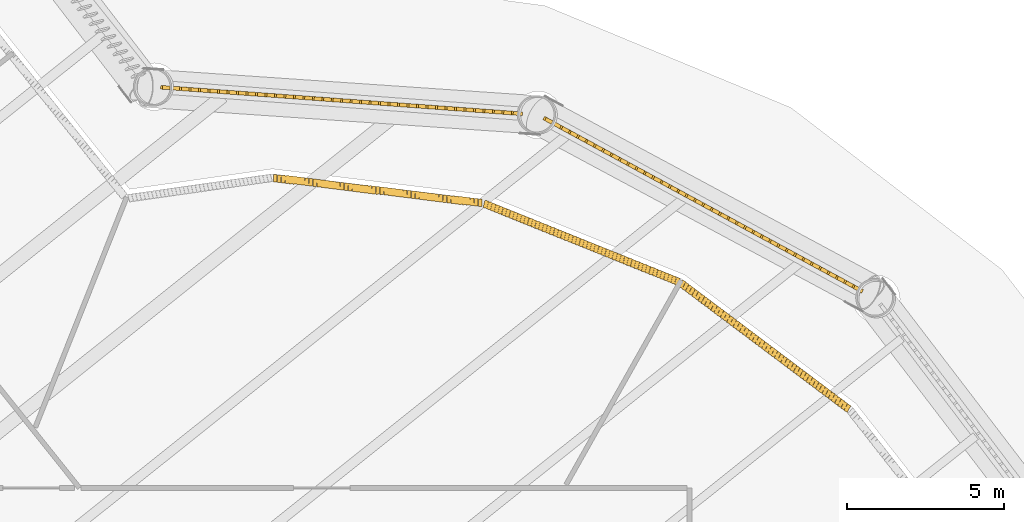
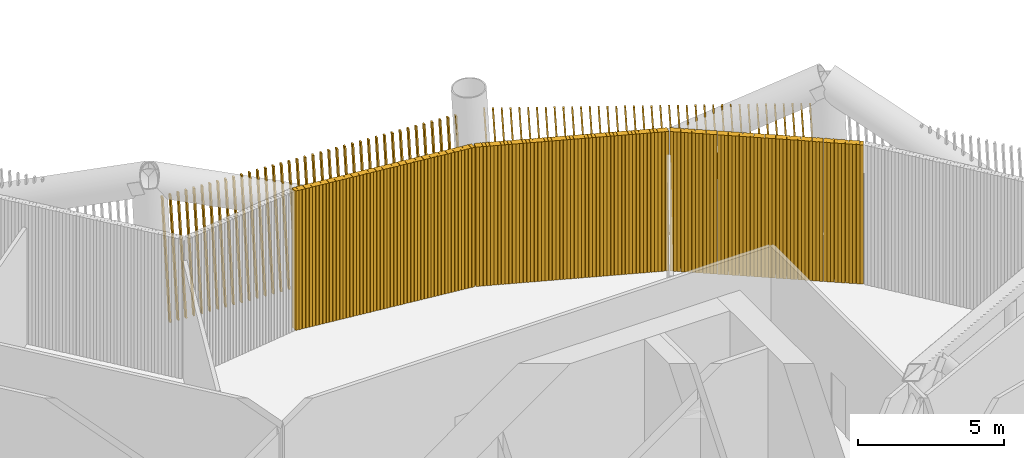
# One storey, part 46 of 48: 5 shading devices.
"""IFC4 building model written with IfcOpenShell, lengths in metres."""

from ifc_helpers import new_model, si_unit, direction, frame, frame_2d, origin, place, context, subcontext, project, spatial, rectangle, composite_profile, extrude, material, type_object, element, save


model = new_model("IFC4")

# Units and contexts
model_context = context("Model", 3, precision=1e-05, world=origin(), true_north=direction((0.0, 1.0)))
body_context = subcontext(model_context, "Body", "Model", "MODEL_VIEW")
ifc_project = project(units=[si_unit("LENGTHUNIT", "METRE"), si_unit("AREAUNIT", "SQUARE_METRE"), si_unit("VOLUMEUNIT", "CUBIC_METRE"), si_unit("PLANEANGLEUNIT", "RADIAN"), si_unit("MASSUNIT", "GRAM", prefix="KILO")], contexts=[model_context])

# Site, building, storey
site_placement = place(None, origin())
site = spatial("IfcSite", under=ifc_project, at=site_placement, CompositionType="ELEMENT")
building_placement = place(site_placement, origin())
building = spatial("IfcBuilding", under=site, at=building_placement, Name="Tarsis Ring Headquarters", CompositionType="ELEMENT")
storey_placement = place(building_placement, frame((0.0, 0.0, 34.0)))
storey = spatial("IfcBuildingStorey", under=building, at=storey_placement, Name="L06", CompositionType="ELEMENT", Elevation=34.0)

# Shading devices
ifc_material_1 = material(Name="Aluminium louvre", Category="aluminium")
shading_device_type_1 = type_object("IfcShadingDeviceType", Name="Plant louvre fin", PredefinedType="USERDEFINED", material=ifc_material_1)
shading_device_1_placement = place(storey_placement, frame((18.08984375, 18.49609375, 0.0), z_axis=(0.0, 0.0, 1.0), x_axis=(-0.799680360321, 0.600414078675, 0.0)))
element("IfcShadingDevice", 1, at=shading_device_1_placement, inside=storey, type_object=shading_device_type_1, Name="Louvre L06-27", ObjectType="Louvre", PredefinedType="USERDEFINED", context=body_context, shape_type="SweptSolid", body=[
    extrude(composite_profile([rectangle(XDim=0.1201171875, YDim=0.239990234375, at=frame_2d((0.076171875, 0.0), x_axis=(0.990268068742, 0.13917310096))), rectangle(XDim=0.1201171875, YDim=0.239990234375, at=frame_2d((0.202392578125, 0.0), x_axis=(0.990268068742, 0.13917310096))), rectangle(XDim=0.1201171875, YDim=0.239990234375, at=frame_2d((0.328857421875, 0.0), x_axis=(0.990268068742, 0.13917310096))), rectangle(XDim=0.1201171875, YDim=0.239990234375, at=frame_2d((0.455078125, 0.0), x_axis=(0.990268068742, 0.13917310096))), rectangle(XDim=0.1201171875, YDim=0.239990234375, at=frame_2d((0.58154296875, 0.0), x_axis=(0.990268068742, 0.13917310096))), rectangle(XDim=0.1201171875, YDim=0.239990234375, at=frame_2d((0.707763671875, 0.0), x_axis=(0.990268068742, 0.13917310096))), rectangle(XDim=0.1201171875, YDim=0.239990234375, at=frame_2d((0.834228515625, 0.0), x_axis=(0.990268068742, 0.13917310096))), rectangle(XDim=0.1201171875, YDim=0.239990234375, at=frame_2d((0.96044921875, 0.0), x_axis=(0.990268068742, 0.13917310096))), rectangle(XDim=0.1201171875, YDim=0.239990234375, at=frame_2d((1.0869140625, 0.0), x_axis=(0.990268068742, 0.13917310096))), rectangle(XDim=0.1201171875, YDim=0.239990234375, at=frame_2d((1.213134765625, 0.0), x_axis=(0.990268068742, 0.13917310096))), rectangle(XDim=0.1201171875, YDim=0.239990234375, at=frame_2d((1.33935546875, 0.0), x_axis=(0.990268068742, 0.13917310096))), rectangle(XDim=0.1201171875, YDim=0.239990234375, at=frame_2d((1.4658203125, 0.0), x_axis=(0.990268068742, 0.13917310096))), rectangle(XDim=0.1201171875, YDim=0.239990234375, at=frame_2d((1.592041015625, 0.0), x_axis=(0.990268068742, 0.13917310096))), rectangle(XDim=0.1201171875, YDim=0.239990234375, at=frame_2d((1.718505859375, 0.0), x_axis=(0.990268068742, 0.13917310096))), rectangle(XDim=0.1201171875, YDim=0.239990234375, at=frame_2d((1.8447265625, 0.0), x_axis=(0.990268068742, 0.13917310096))), rectangle(XDim=0.1201171875, YDim=0.239990234375, at=frame_2d((1.97119140625, 0.0), x_axis=(0.990268068742, 0.13917310096))), rectangle(XDim=0.1201171875, YDim=0.239990234375, at=frame_2d((2.097412109375, 0.0), x_axis=(0.990268068742, 0.13917310096))), rectangle(XDim=0.1201171875, YDim=0.239990234375, at=frame_2d((2.223876953125, 0.0), x_axis=(0.990268068742, 0.13917310096))), rectangle(XDim=0.1201171875, YDim=0.239990234375, at=frame_2d((2.35009765625, 0.0), x_axis=(0.990268068742, 0.13917310096))), rectangle(XDim=0.1201171875, YDim=0.239990234375, at=frame_2d((2.476318359375, 0.0), x_axis=(0.990268068742, 0.13917310096))), rectangle(XDim=0.1201171875, YDim=0.239990234375, at=frame_2d((2.602783203125, 0.0), x_axis=(0.990268068742, 0.13917310096))), rectangle(XDim=0.1201171875, YDim=0.239990234375, at=frame_2d((2.72900390625, 0.0), x_axis=(0.990268068742, 0.13917310096))), rectangle(XDim=0.1201171875, YDim=0.239990234375, at=frame_2d((2.85546875, 0.0), x_axis=(0.990268068742, 0.13917310096))), rectangle(XDim=0.1201171875, YDim=0.239990234375, at=frame_2d((2.981689453125, 0.0), x_axis=(0.990268068742, 0.13917310096))), rectangle(XDim=0.1201171875, YDim=0.239990234375, at=frame_2d((3.108154296875, 0.0), x_axis=(0.990268068742, 0.13917310096))), rectangle(XDim=0.1201171875, YDim=0.239990234375, at=frame_2d((3.234375, 0.0), x_axis=(0.990268068742, 0.13917310096))), rectangle(XDim=0.1201171875, YDim=0.239990234375, at=frame_2d((3.36083984375, 0.0), x_axis=(0.990268068742, 0.13917310096))), rectangle(XDim=0.1201171875, YDim=0.239990234375, at=frame_2d((3.487060546875, 0.0), x_axis=(0.990268068742, 0.13917310096))), rectangle(XDim=0.1201171875, YDim=0.239990234375, at=frame_2d((3.61328125, 0.0), x_axis=(0.990268068742, 0.13917310096))), rectangle(XDim=0.1201171875, YDim=0.239990234375, at=frame_2d((3.73974609375, 0.0), x_axis=(0.990268068742, 0.13917310096))), rectangle(XDim=0.1201171875, YDim=0.239990234375, at=frame_2d((3.865966796875, 0.0), x_axis=(0.990268068742, 0.13917310096))), rectangle(XDim=0.1201171875, YDim=0.239990234375, at=frame_2d((3.992431640625, 0.0), x_axis=(0.990268068742, 0.13917310096))), rectangle(XDim=0.1201171875, YDim=0.239990234375, at=frame_2d((4.11865234375, 0.0), x_axis=(0.990268068742, 0.13917310096))), rectangle(XDim=0.1201171875, YDim=0.239990234375, at=frame_2d((4.2451171875, 0.0), x_axis=(0.990268068742, 0.13917310096))), rectangle(XDim=0.1201171875, YDim=0.239990234375, at=frame_2d((4.371337890625, 0.0), x_axis=(0.990268068742, 0.13917310096))), rectangle(XDim=0.1201171875, YDim=0.239990234375, at=frame_2d((4.49755859375, 0.0), x_axis=(0.990268068742, 0.13917310096))), rectangle(XDim=0.1201171875, YDim=0.239990234375, at=frame_2d((4.6240234375, 0.0), x_axis=(0.990268068742, 0.13917310096))), rectangle(XDim=0.1201171875, YDim=0.239990234375, at=frame_2d((4.750244140625, 0.0), x_axis=(0.990268068742, 0.13917310096))), rectangle(XDim=0.1201171875, YDim=0.239990234375, at=frame_2d((4.876708984375, 0.0), x_axis=(0.990268068742, 0.13917310096))), rectangle(XDim=0.1201171875, YDim=0.239990234375, at=frame_2d((5.0029296875, 0.0), x_axis=(0.990268068742, 0.13917310096))), rectangle(XDim=0.1201171875, YDim=0.239990234375, at=frame_2d((5.12939453125, 0.0), x_axis=(0.990268068742, 0.13917310096))), rectangle(XDim=0.1201171875, YDim=0.239990234375, at=frame_2d((5.255615234375, 0.0), x_axis=(0.990268068742, 0.13917310096))), rectangle(XDim=0.1201171875, YDim=0.239990234375, at=frame_2d((5.382080078125, 0.0), x_axis=(0.990268068742, 0.13917310096))), rectangle(XDim=0.1201171875, YDim=0.239990234375, at=frame_2d((5.50830078125, 0.0), x_axis=(0.990268068742, 0.13917310096))), rectangle(XDim=0.1201171875, YDim=0.239990234375, at=frame_2d((5.634521484375, 0.0), x_axis=(0.990268068742, 0.13917310096))), rectangle(XDim=0.1201171875, YDim=0.239990234375, at=frame_2d((5.760986328125, 0.0), x_axis=(0.990268068742, 0.13917310096))), rectangle(XDim=0.1201171875, YDim=0.239990234375, at=frame_2d((5.88720703125, 0.0), x_axis=(0.990268068742, 0.13917310096))), rectangle(XDim=0.1201171875, YDim=0.239990234375, at=frame_2d((6.013671875, 0.0), x_axis=(0.990268068742, 0.13917310096))), rectangle(XDim=0.1201171875, YDim=0.239990234375, at=frame_2d((6.139892578125, 0.0), x_axis=(0.990268068742, 0.13917310096))), rectangle(XDim=0.1201171875, YDim=0.239990234375, at=frame_2d((6.266357421875, 0.0), x_axis=(0.990268068742, 0.13917310096))), rectangle(XDim=0.1201171875, YDim=0.239990234375, at=frame_2d((6.392578125, 0.0), x_axis=(0.990268068742, 0.13917310096))), rectangle(XDim=0.1201171875, YDim=0.239990234375, at=frame_2d((6.51904296875, 0.0), x_axis=(0.990268068742, 0.13917310096))), rectangle(XDim=0.1201171875, YDim=0.239990234375, at=frame_2d((6.645263671875, 0.0), x_axis=(0.990268068742, 0.13917310096)))]), origin(), (0.0, 0.0, 1.0), 5.840087890625),
])
shading_device_2_placement = place(storey_placement, frame((12.686279296875, 22.5478515625, 0.0), z_axis=(0.0, 0.0, 1.0), x_axis=(-0.92782681341, 0.37299771167, 0.0)))
element("IfcShadingDevice", 2, at=shading_device_2_placement, inside=storey, type_object=shading_device_type_1, Name="Louvre L06-28", ObjectType="Louvre", PredefinedType="USERDEFINED", context=body_context, shape_type="SweptSolid", body=[
    extrude(composite_profile([rectangle(XDim=0.1201171875, YDim=0.239990234375, at=frame_2d((0.076171875, 0.0), x_axis=(0.990268068742, 0.13917310096))), rectangle(XDim=0.1201171875, YDim=0.239990234375, at=frame_2d((0.202392578125, 0.0), x_axis=(0.990268068742, 0.13917310096))), rectangle(XDim=0.1201171875, YDim=0.239990234375, at=frame_2d((0.328857421875, 0.0), x_axis=(0.990268068742, 0.13917310096))), rectangle(XDim=0.1201171875, YDim=0.239990234375, at=frame_2d((0.455078125, 0.0), x_axis=(0.990268068742, 0.13917310096))), rectangle(XDim=0.1201171875, YDim=0.239990234375, at=frame_2d((0.58154296875, 0.0), x_axis=(0.990268068742, 0.13917310096))), rectangle(XDim=0.1201171875, YDim=0.239990234375, at=frame_2d((0.707763671875, 0.0), x_axis=(0.990268068742, 0.13917310096))), rectangle(XDim=0.1201171875, YDim=0.239990234375, at=frame_2d((0.834228515625, 0.0), x_axis=(0.990268068742, 0.13917310096))), rectangle(XDim=0.1201171875, YDim=0.239990234375, at=frame_2d((0.96044921875, 0.0), x_axis=(0.990268068742, 0.13917310096))), rectangle(XDim=0.1201171875, YDim=0.239990234375, at=frame_2d((1.0869140625, 0.0), x_axis=(0.990268068742, 0.13917310096))), rectangle(XDim=0.1201171875, YDim=0.239990234375, at=frame_2d((1.213134765625, 0.0), x_axis=(0.990268068742, 0.13917310096))), rectangle(XDim=0.1201171875, YDim=0.239990234375, at=frame_2d((1.33935546875, 0.0), x_axis=(0.990268068742, 0.13917310096))), rectangle(XDim=0.1201171875, YDim=0.239990234375, at=frame_2d((1.4658203125, 0.0), x_axis=(0.990268068742, 0.13917310096))), rectangle(XDim=0.1201171875, YDim=0.239990234375, at=frame_2d((1.592041015625, 0.0), x_axis=(0.990268068742, 0.13917310096))), rectangle(XDim=0.1201171875, YDim=0.239990234375, at=frame_2d((1.718505859375, 0.0), x_axis=(0.990268068742, 0.13917310096))), rectangle(XDim=0.1201171875, YDim=0.239990234375, at=frame_2d((1.8447265625, 0.0), x_axis=(0.990268068742, 0.13917310096))), rectangle(XDim=0.1201171875, YDim=0.239990234375, at=frame_2d((1.97119140625, 0.0), x_axis=(0.990268068742, 0.13917310096))), rectangle(XDim=0.1201171875, YDim=0.239990234375, at=frame_2d((2.097412109375, 0.0), x_axis=(0.990268068742, 0.13917310096))), rectangle(XDim=0.1201171875, YDim=0.239990234375, at=frame_2d((2.223876953125, 0.0), x_axis=(0.990268068742, 0.13917310096))), rectangle(XDim=0.1201171875, YDim=0.239990234375, at=frame_2d((2.35009765625, 0.0), x_axis=(0.990268068742, 0.13917310096))), rectangle(XDim=0.1201171875, YDim=0.239990234375, at=frame_2d((2.476318359375, 0.0), x_axis=(0.990268068742, 0.13917310096))), rectangle(XDim=0.1201171875, YDim=0.239990234375, at=frame_2d((2.602783203125, 0.0), x_axis=(0.990268068742, 0.13917310096))), rectangle(XDim=0.1201171875, YDim=0.239990234375, at=frame_2d((2.72900390625, 0.0), x_axis=(0.990268068742, 0.13917310096))), rectangle(XDim=0.1201171875, YDim=0.239990234375, at=frame_2d((2.85546875, 0.0), x_axis=(0.990268068742, 0.13917310096))), rectangle(XDim=0.1201171875, YDim=0.239990234375, at=frame_2d((2.981689453125, 0.0), x_axis=(0.990268068742, 0.13917310096))), rectangle(XDim=0.1201171875, YDim=0.239990234375, at=frame_2d((3.108154296875, 0.0), x_axis=(0.990268068742, 0.13917310096))), rectangle(XDim=0.1201171875, YDim=0.239990234375, at=frame_2d((3.234375, 0.0), x_axis=(0.990268068742, 0.13917310096))), rectangle(XDim=0.1201171875, YDim=0.239990234375, at=frame_2d((3.36083984375, 0.0), x_axis=(0.990268068742, 0.13917310096))), rectangle(XDim=0.1201171875, YDim=0.239990234375, at=frame_2d((3.487060546875, 0.0), x_axis=(0.990268068742, 0.13917310096))), rectangle(XDim=0.1201171875, YDim=0.239990234375, at=frame_2d((3.61328125, 0.0), x_axis=(0.990268068742, 0.13917310096))), rectangle(XDim=0.1201171875, YDim=0.239990234375, at=frame_2d((3.73974609375, 0.0), x_axis=(0.990268068742, 0.13917310096))), rectangle(XDim=0.1201171875, YDim=0.239990234375, at=frame_2d((3.865966796875, 0.0), x_axis=(0.990268068742, 0.13917310096))), rectangle(XDim=0.1201171875, YDim=0.239990234375, at=frame_2d((3.992431640625, 0.0), x_axis=(0.990268068742, 0.13917310096))), rectangle(XDim=0.1201171875, YDim=0.239990234375, at=frame_2d((4.11865234375, 0.0), x_axis=(0.990268068742, 0.13917310096))), rectangle(XDim=0.1201171875, YDim=0.239990234375, at=frame_2d((4.2451171875, 0.0), x_axis=(0.990268068742, 0.13917310096))), rectangle(XDim=0.1201171875, YDim=0.239990234375, at=frame_2d((4.371337890625, 0.0), x_axis=(0.990268068742, 0.13917310096))), rectangle(XDim=0.1201171875, YDim=0.239990234375, at=frame_2d((4.49755859375, 0.0), x_axis=(0.990268068742, 0.13917310096))), rectangle(XDim=0.1201171875, YDim=0.239990234375, at=frame_2d((4.6240234375, 0.0), x_axis=(0.990268068742, 0.13917310096))), rectangle(XDim=0.1201171875, YDim=0.239990234375, at=frame_2d((4.750244140625, 0.0), x_axis=(0.990268068742, 0.13917310096))), rectangle(XDim=0.1201171875, YDim=0.239990234375, at=frame_2d((4.876708984375, 0.0), x_axis=(0.990268068742, 0.13917310096))), rectangle(XDim=0.1201171875, YDim=0.239990234375, at=frame_2d((5.0029296875, 0.0), x_axis=(0.990268068742, 0.13917310096))), rectangle(XDim=0.1201171875, YDim=0.239990234375, at=frame_2d((5.12939453125, 0.0), x_axis=(0.990268068742, 0.13917310096))), rectangle(XDim=0.1201171875, YDim=0.239990234375, at=frame_2d((5.255615234375, 0.0), x_axis=(0.990268068742, 0.13917310096))), rectangle(XDim=0.1201171875, YDim=0.239990234375, at=frame_2d((5.382080078125, 0.0), x_axis=(0.990268068742, 0.13917310096))), rectangle(XDim=0.1201171875, YDim=0.239990234375, at=frame_2d((5.50830078125, 0.0), x_axis=(0.990268068742, 0.13917310096))), rectangle(XDim=0.1201171875, YDim=0.239990234375, at=frame_2d((5.634521484375, 0.0), x_axis=(0.990268068742, 0.13917310096))), rectangle(XDim=0.1201171875, YDim=0.239990234375, at=frame_2d((5.760986328125, 0.0), x_axis=(0.990268068742, 0.13917310096))), rectangle(XDim=0.1201171875, YDim=0.239990234375, at=frame_2d((5.88720703125, 0.0), x_axis=(0.990268068742, 0.13917310096))), rectangle(XDim=0.1201171875, YDim=0.239990234375, at=frame_2d((6.013671875, 0.0), x_axis=(0.990268068742, 0.13917310096))), rectangle(XDim=0.1201171875, YDim=0.239990234375, at=frame_2d((6.139892578125, 0.0), x_axis=(0.990268068742, 0.13917310096))), rectangle(XDim=0.1201171875, YDim=0.239990234375, at=frame_2d((6.266357421875, 0.0), x_axis=(0.990268068742, 0.13917310096))), rectangle(XDim=0.1201171875, YDim=0.239990234375, at=frame_2d((6.392578125, 0.0), x_axis=(0.990268068742, 0.13917310096))), rectangle(XDim=0.1201171875, YDim=0.239990234375, at=frame_2d((6.51904296875, 0.0), x_axis=(0.990268068742, 0.13917310096))), rectangle(XDim=0.1201171875, YDim=0.239990234375, at=frame_2d((6.645263671875, 0.0), x_axis=(0.990268068742, 0.13917310096)))]), origin(), (0.0, 0.0, 1.0), 5.840087890625),
])
shading_device_3_placement = place(storey_placement, frame((6.418212890625, 25.06298828125, 0.0), z_axis=(0.0, 0.0, 1.0), x_axis=(-0.992771784534, 0.120155461117, 0.0)))
element("IfcShadingDevice", 3, at=shading_device_3_placement, inside=storey, type_object=shading_device_type_1, Name="Louvre L06-29", ObjectType="Louvre", PredefinedType="USERDEFINED", context=body_context, shape_type="SweptSolid", body=[
    extrude(composite_profile([rectangle(XDim=0.1201171875, YDim=0.239990234375, at=frame_2d((0.076171875, 0.0), x_axis=(0.990268068742, 0.13917310096))), rectangle(XDim=0.1201171875, YDim=0.239990234375, at=frame_2d((0.202392578125, 0.0), x_axis=(0.990268068742, 0.13917310096))), rectangle(XDim=0.1201171875, YDim=0.239990234375, at=frame_2d((0.328857421875, 0.0), x_axis=(0.990268068742, 0.13917310096))), rectangle(XDim=0.1201171875, YDim=0.239990234375, at=frame_2d((0.455078125, 0.0), x_axis=(0.990268068742, 0.13917310096))), rectangle(XDim=0.1201171875, YDim=0.239990234375, at=frame_2d((0.58154296875, 0.0), x_axis=(0.990268068742, 0.13917310096))), rectangle(XDim=0.1201171875, YDim=0.239990234375, at=frame_2d((0.707763671875, 0.0), x_axis=(0.990268068742, 0.13917310096))), rectangle(XDim=0.1201171875, YDim=0.239990234375, at=frame_2d((0.834228515625, 0.0), x_axis=(0.990268068742, 0.13917310096))), rectangle(XDim=0.1201171875, YDim=0.239990234375, at=frame_2d((0.96044921875, 0.0), x_axis=(0.990268068742, 0.13917310096))), rectangle(XDim=0.1201171875, YDim=0.239990234375, at=frame_2d((1.0869140625, 0.0), x_axis=(0.990268068742, 0.13917310096))), rectangle(XDim=0.1201171875, YDim=0.239990234375, at=frame_2d((1.213134765625, 0.0), x_axis=(0.990268068742, 0.13917310096))), rectangle(XDim=0.1201171875, YDim=0.239990234375, at=frame_2d((1.33935546875, 0.0), x_axis=(0.990268068742, 0.13917310096))), rectangle(XDim=0.1201171875, YDim=0.239990234375, at=frame_2d((1.4658203125, 0.0), x_axis=(0.990268068742, 0.13917310096))), rectangle(XDim=0.1201171875, YDim=0.239990234375, at=frame_2d((1.592041015625, 0.0), x_axis=(0.990268068742, 0.13917310096))), rectangle(XDim=0.1201171875, YDim=0.239990234375, at=frame_2d((1.718505859375, 0.0), x_axis=(0.990268068742, 0.13917310096))), rectangle(XDim=0.1201171875, YDim=0.239990234375, at=frame_2d((1.8447265625, 0.0), x_axis=(0.990268068742, 0.13917310096))), rectangle(XDim=0.1201171875, YDim=0.239990234375, at=frame_2d((1.97119140625, 0.0), x_axis=(0.990268068742, 0.13917310096))), rectangle(XDim=0.1201171875, YDim=0.239990234375, at=frame_2d((2.097412109375, 0.0), x_axis=(0.990268068742, 0.13917310096))), rectangle(XDim=0.1201171875, YDim=0.239990234375, at=frame_2d((2.223876953125, 0.0), x_axis=(0.990268068742, 0.13917310096))), rectangle(XDim=0.1201171875, YDim=0.239990234375, at=frame_2d((2.35009765625, 0.0), x_axis=(0.990268068742, 0.13917310096))), rectangle(XDim=0.1201171875, YDim=0.239990234375, at=frame_2d((2.476318359375, 0.0), x_axis=(0.990268068742, 0.13917310096))), rectangle(XDim=0.1201171875, YDim=0.239990234375, at=frame_2d((2.602783203125, 0.0), x_axis=(0.990268068742, 0.13917310096))), rectangle(XDim=0.1201171875, YDim=0.239990234375, at=frame_2d((2.72900390625, 0.0), x_axis=(0.990268068742, 0.13917310096))), rectangle(XDim=0.1201171875, YDim=0.239990234375, at=frame_2d((2.85546875, 0.0), x_axis=(0.990268068742, 0.13917310096))), rectangle(XDim=0.1201171875, YDim=0.239990234375, at=frame_2d((2.981689453125, 0.0), x_axis=(0.990268068742, 0.13917310096))), rectangle(XDim=0.1201171875, YDim=0.239990234375, at=frame_2d((3.108154296875, 0.0), x_axis=(0.990268068742, 0.13917310096))), rectangle(XDim=0.1201171875, YDim=0.239990234375, at=frame_2d((3.234375, 0.0), x_axis=(0.990268068742, 0.13917310096))), rectangle(XDim=0.1201171875, YDim=0.239990234375, at=frame_2d((3.36083984375, 0.0), x_axis=(0.990268068742, 0.13917310096))), rectangle(XDim=0.1201171875, YDim=0.239990234375, at=frame_2d((3.487060546875, 0.0), x_axis=(0.990268068742, 0.13917310096))), rectangle(XDim=0.1201171875, YDim=0.239990234375, at=frame_2d((3.61328125, 0.0), x_axis=(0.990268068742, 0.13917310096))), rectangle(XDim=0.1201171875, YDim=0.239990234375, at=frame_2d((3.73974609375, 0.0), x_axis=(0.990268068742, 0.13917310096))), rectangle(XDim=0.1201171875, YDim=0.239990234375, at=frame_2d((3.865966796875, 0.0), x_axis=(0.990268068742, 0.13917310096))), rectangle(XDim=0.1201171875, YDim=0.239990234375, at=frame_2d((3.992431640625, 0.0), x_axis=(0.990268068742, 0.13917310096))), rectangle(XDim=0.1201171875, YDim=0.239990234375, at=frame_2d((4.11865234375, 0.0), x_axis=(0.990268068742, 0.13917310096))), rectangle(XDim=0.1201171875, YDim=0.239990234375, at=frame_2d((4.2451171875, 0.0), x_axis=(0.990268068742, 0.13917310096))), rectangle(XDim=0.1201171875, YDim=0.239990234375, at=frame_2d((4.371337890625, 0.0), x_axis=(0.990268068742, 0.13917310096))), rectangle(XDim=0.1201171875, YDim=0.239990234375, at=frame_2d((4.49755859375, 0.0), x_axis=(0.990268068742, 0.13917310096))), rectangle(XDim=0.1201171875, YDim=0.239990234375, at=frame_2d((4.6240234375, 0.0), x_axis=(0.990268068742, 0.13917310096))), rectangle(XDim=0.1201171875, YDim=0.239990234375, at=frame_2d((4.750244140625, 0.0), x_axis=(0.990268068742, 0.13917310096))), rectangle(XDim=0.1201171875, YDim=0.239990234375, at=frame_2d((4.876708984375, 0.0), x_axis=(0.990268068742, 0.13917310096))), rectangle(XDim=0.1201171875, YDim=0.239990234375, at=frame_2d((5.0029296875, 0.0), x_axis=(0.990268068742, 0.13917310096))), rectangle(XDim=0.1201171875, YDim=0.239990234375, at=frame_2d((5.12939453125, 0.0), x_axis=(0.990268068742, 0.13917310096))), rectangle(XDim=0.1201171875, YDim=0.239990234375, at=frame_2d((5.255615234375, 0.0), x_axis=(0.990268068742, 0.13917310096))), rectangle(XDim=0.1201171875, YDim=0.239990234375, at=frame_2d((5.382080078125, 0.0), x_axis=(0.990268068742, 0.13917310096))), rectangle(XDim=0.1201171875, YDim=0.239990234375, at=frame_2d((5.50830078125, 0.0), x_axis=(0.990268068742, 0.13917310096))), rectangle(XDim=0.1201171875, YDim=0.239990234375, at=frame_2d((5.634521484375, 0.0), x_axis=(0.990268068742, 0.13917310096))), rectangle(XDim=0.1201171875, YDim=0.239990234375, at=frame_2d((5.760986328125, 0.0), x_axis=(0.990268068742, 0.13917310096))), rectangle(XDim=0.1201171875, YDim=0.239990234375, at=frame_2d((5.88720703125, 0.0), x_axis=(0.990268068742, 0.13917310096))), rectangle(XDim=0.1201171875, YDim=0.239990234375, at=frame_2d((6.013671875, 0.0), x_axis=(0.990268068742, 0.13917310096))), rectangle(XDim=0.1201171875, YDim=0.239990234375, at=frame_2d((6.139892578125, 0.0), x_axis=(0.990268068742, 0.13917310096))), rectangle(XDim=0.1201171875, YDim=0.239990234375, at=frame_2d((6.266357421875, 0.0), x_axis=(0.990268068742, 0.13917310096))), rectangle(XDim=0.1201171875, YDim=0.239990234375, at=frame_2d((6.392578125, 0.0), x_axis=(0.990268068742, 0.13917310096))), rectangle(XDim=0.1201171875, YDim=0.239990234375, at=frame_2d((6.51904296875, 0.0), x_axis=(0.990268068742, 0.13917310096))), rectangle(XDim=0.1201171875, YDim=0.239990234375, at=frame_2d((6.645263671875, 0.0), x_axis=(0.990268068742, 0.13917310096)))]), origin(), (0.0, 0.0, 1.0), 5.840087890625),
])
ifc_material_2 = material(Name="Terracotta baguette", Category="masonry")
shading_device_type_2 = type_object("IfcShadingDeviceType", Name="Terracotta baguette screen", PredefinedType="USERDEFINED", material=ifc_material_2)
shading_device_4_placement = place(storey_placement, frame((18.509033203125, 22.256591796875, -0.300048828125), z_axis=(0.0, 0.0, 1.0), x_axis=(-0.878459034183, 0.47782962561, 0.0)))
element("IfcShadingDevice", 4, at=shading_device_4_placement, inside=storey, type_object=shading_device_type_2, Name="Baguette screen L06-13", ObjectType="Terracotta baguette screen", PredefinedType="USERDEFINED", context=body_context, shape_type="SweptSolid", body=[
    extrude(composite_profile([rectangle(XDim=0.06005859375, YDim=0.1201171875, at=frame_2d((0.030029296875, 0.0))), rectangle(XDim=0.06005859375, YDim=0.1201171875, at=frame_2d((0.33251953125, 0.0))), rectangle(XDim=0.06005859375, YDim=0.1201171875, at=frame_2d((0.634765625, 0.0))), rectangle(XDim=0.06005859375, YDim=0.1201171875, at=frame_2d((0.937255859375, 0.0))), rectangle(XDim=0.06005859375, YDim=0.1201171875, at=frame_2d((1.239501953125, 0.0))), rectangle(XDim=0.06005859375, YDim=0.1201171875, at=frame_2d((1.5419921875, 0.0))), rectangle(XDim=0.06005859375, YDim=0.1201171875, at=frame_2d((1.844482421875, 0.0))), rectangle(XDim=0.06005859375, YDim=0.1201171875, at=frame_2d((2.146728515625, 0.0))), rectangle(XDim=0.06005859375, YDim=0.1201171875, at=frame_2d((2.44921875, 0.0))), rectangle(XDim=0.06005859375, YDim=0.1201171875, at=frame_2d((2.751708984375, 0.0))), rectangle(XDim=0.06005859375, YDim=0.1201171875, at=frame_2d((3.053955078125, 0.0))), rectangle(XDim=0.06005859375, YDim=0.1201171875, at=frame_2d((3.3564453125, 0.0))), rectangle(XDim=0.06005859375, YDim=0.1201171875, at=frame_2d((3.65869140625, 0.0))), rectangle(XDim=0.06005859375, YDim=0.1201171875, at=frame_2d((3.961181640625, 0.0))), rectangle(XDim=0.06005859375, YDim=0.1201171875, at=frame_2d((4.263671875, 0.0))), rectangle(XDim=0.06005859375, YDim=0.1201171875, at=frame_2d((4.56591796875, 0.0))), rectangle(XDim=0.06005859375, YDim=0.1201171875, at=frame_2d((4.868408203125, 0.0))), rectangle(XDim=0.06005859375, YDim=0.1201171875, at=frame_2d((5.1708984375, 0.0))), rectangle(XDim=0.06005859375, YDim=0.1201171875, at=frame_2d((5.47314453125, 0.0))), rectangle(XDim=0.06005859375, YDim=0.1201171875, at=frame_2d((5.775634765625, 0.0))), rectangle(XDim=0.06005859375, YDim=0.1201171875, at=frame_2d((6.077880859375, 0.0))), rectangle(XDim=0.06005859375, YDim=0.1201171875, at=frame_2d((6.38037109375, 0.0))), rectangle(XDim=0.06005859375, YDim=0.1201171875, at=frame_2d((6.682861328125, 0.0))), rectangle(XDim=0.06005859375, YDim=0.1201171875, at=frame_2d((6.985107421875, 0.0))), rectangle(XDim=0.06005859375, YDim=0.1201171875, at=frame_2d((7.28759765625, 0.0))), rectangle(XDim=0.06005859375, YDim=0.1201171875, at=frame_2d((7.590087890625, 0.0))), rectangle(XDim=0.06005859375, YDim=0.1201171875, at=frame_2d((7.892333984375, 0.0))), rectangle(XDim=0.06005859375, YDim=0.1201171875, at=frame_2d((8.19482421875, 0.0))), rectangle(XDim=0.06005859375, YDim=0.1201171875, at=frame_2d((8.4970703125, 0.0))), rectangle(XDim=0.06005859375, YDim=0.1201171875, at=frame_2d((8.799560546875, 0.0))), rectangle(XDim=0.06005859375, YDim=0.1201171875, at=frame_2d((9.10205078125, 0.0))), rectangle(XDim=0.06005859375, YDim=0.1201171875, at=frame_2d((9.404296875, 0.0))), rectangle(XDim=0.06005859375, YDim=0.1201171875, at=frame_2d((9.706787109375, 0.0))), rectangle(XDim=0.06005859375, YDim=0.1201171875, at=frame_2d((10.00927734375, 0.0))), rectangle(XDim=0.06005859375, YDim=0.1201171875, at=frame_2d((10.3115234375, 0.0))), rectangle(XDim=0.06005859375, YDim=0.1201171875, at=frame_2d((10.614013671875, 0.0))), rectangle(XDim=0.06005859375, YDim=0.1201171875, at=frame_2d((10.916259765625, 0.0))), rectangle(XDim=0.06005859375, YDim=0.1201171875, at=frame_2d((11.21875, 0.0)))]), origin(), (0.055468152373, 0.00029019263, 0.998460414769), 5.36083984375),
])
shading_device_5_placement = place(storey_placement, frame((7.689697265625, 27.9072265625, -0.300048828125), z_axis=(0.0, 0.0, 1.0), x_axis=(-0.997308794166, 0.073248545881, 0.0)))
element("IfcShadingDevice", 5, at=shading_device_5_placement, inside=storey, type_object=shading_device_type_2, Name="Baguette screen L06-14", ObjectType="Terracotta baguette screen", PredefinedType="USERDEFINED", context=body_context, shape_type="SweptSolid", body=[
    extrude(composite_profile([rectangle(XDim=0.06005859375, YDim=0.1201171875, at=frame_2d((0.030029296875, 0.0))), rectangle(XDim=0.06005859375, YDim=0.1201171875, at=frame_2d((0.33251953125, 0.0))), rectangle(XDim=0.06005859375, YDim=0.1201171875, at=frame_2d((0.634765625, 0.0))), rectangle(XDim=0.06005859375, YDim=0.1201171875, at=frame_2d((0.937255859375, 0.0))), rectangle(XDim=0.06005859375, YDim=0.1201171875, at=frame_2d((1.239501953125, 0.0))), rectangle(XDim=0.06005859375, YDim=0.1201171875, at=frame_2d((1.5419921875, 0.0))), rectangle(XDim=0.06005859375, YDim=0.1201171875, at=frame_2d((1.844482421875, 0.0))), rectangle(XDim=0.06005859375, YDim=0.1201171875, at=frame_2d((2.146728515625, 0.0))), rectangle(XDim=0.06005859375, YDim=0.1201171875, at=frame_2d((2.44921875, 0.0))), rectangle(XDim=0.06005859375, YDim=0.1201171875, at=frame_2d((2.751708984375, 0.0))), rectangle(XDim=0.06005859375, YDim=0.1201171875, at=frame_2d((3.053955078125, 0.0))), rectangle(XDim=0.06005859375, YDim=0.1201171875, at=frame_2d((3.3564453125, 0.0))), rectangle(XDim=0.06005859375, YDim=0.1201171875, at=frame_2d((3.65869140625, 0.0))), rectangle(XDim=0.06005859375, YDim=0.1201171875, at=frame_2d((3.961181640625, 0.0))), rectangle(XDim=0.06005859375, YDim=0.1201171875, at=frame_2d((4.263671875, 0.0))), rectangle(XDim=0.06005859375, YDim=0.1201171875, at=frame_2d((4.56591796875, 0.0))), rectangle(XDim=0.06005859375, YDim=0.1201171875, at=frame_2d((4.868408203125, 0.0))), rectangle(XDim=0.06005859375, YDim=0.1201171875, at=frame_2d((5.1708984375, 0.0))), rectangle(XDim=0.06005859375, YDim=0.1201171875, at=frame_2d((5.47314453125, 0.0))), rectangle(XDim=0.06005859375, YDim=0.1201171875, at=frame_2d((5.775634765625, 0.0))), rectangle(XDim=0.06005859375, YDim=0.1201171875, at=frame_2d((6.077880859375, 0.0))), rectangle(XDim=0.06005859375, YDim=0.1201171875, at=frame_2d((6.38037109375, 0.0))), rectangle(XDim=0.06005859375, YDim=0.1201171875, at=frame_2d((6.682861328125, 0.0))), rectangle(XDim=0.06005859375, YDim=0.1201171875, at=frame_2d((6.985107421875, 0.0))), rectangle(XDim=0.06005859375, YDim=0.1201171875, at=frame_2d((7.28759765625, 0.0))), rectangle(XDim=0.06005859375, YDim=0.1201171875, at=frame_2d((7.590087890625, 0.0))), rectangle(XDim=0.06005859375, YDim=0.1201171875, at=frame_2d((7.892333984375, 0.0))), rectangle(XDim=0.06005859375, YDim=0.1201171875, at=frame_2d((8.19482421875, 0.0))), rectangle(XDim=0.06005859375, YDim=0.1201171875, at=frame_2d((8.4970703125, 0.0))), rectangle(XDim=0.06005859375, YDim=0.1201171875, at=frame_2d((8.799560546875, 0.0))), rectangle(XDim=0.06005859375, YDim=0.1201171875, at=frame_2d((9.10205078125, 0.0))), rectangle(XDim=0.06005859375, YDim=0.1201171875, at=frame_2d((9.404296875, 0.0))), rectangle(XDim=0.06005859375, YDim=0.1201171875, at=frame_2d((9.706787109375, 0.0))), rectangle(XDim=0.06005859375, YDim=0.1201171875, at=frame_2d((10.00927734375, 0.0))), rectangle(XDim=0.06005859375, YDim=0.1201171875, at=frame_2d((10.3115234375, 0.0))), rectangle(XDim=0.06005859375, YDim=0.1201171875, at=frame_2d((10.614013671875, 0.0))), rectangle(XDim=0.06005859375, YDim=0.1201171875, at=frame_2d((10.916259765625, 0.0))), rectangle(XDim=0.06005859375, YDim=0.1201171875, at=frame_2d((11.21875, 0.0)))]), origin(), (0.055467640302, 0.000289858673, 0.998460443313), 5.36083984375),
])

save(model, "model.ifc")
